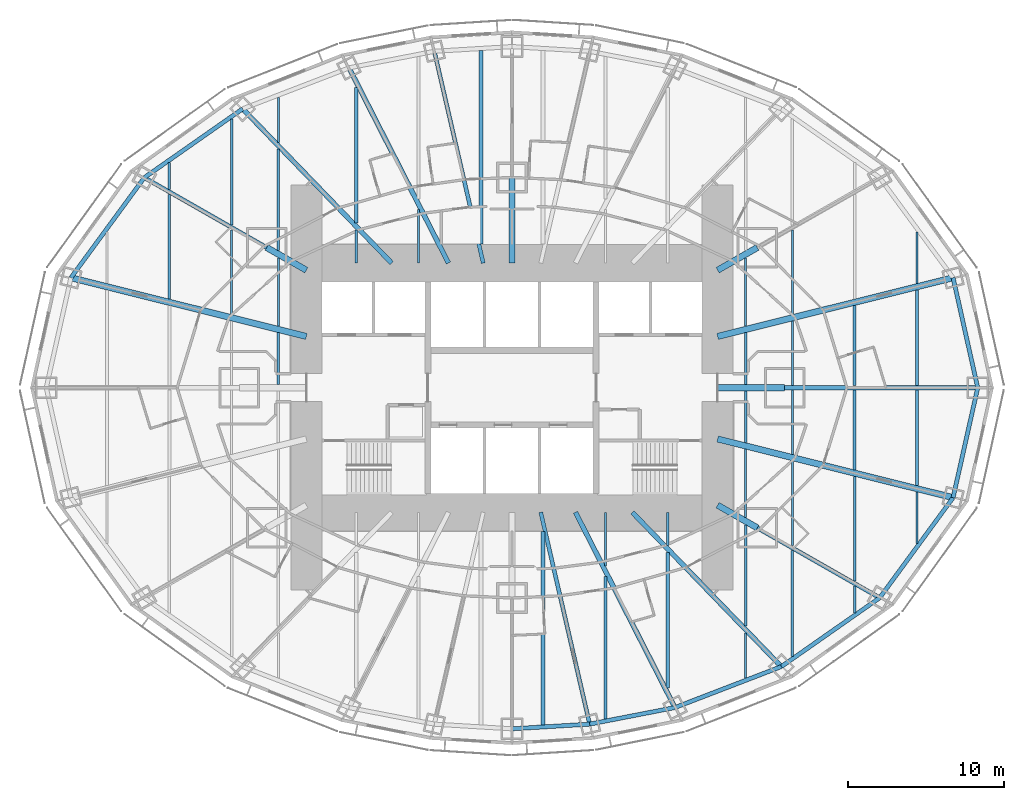
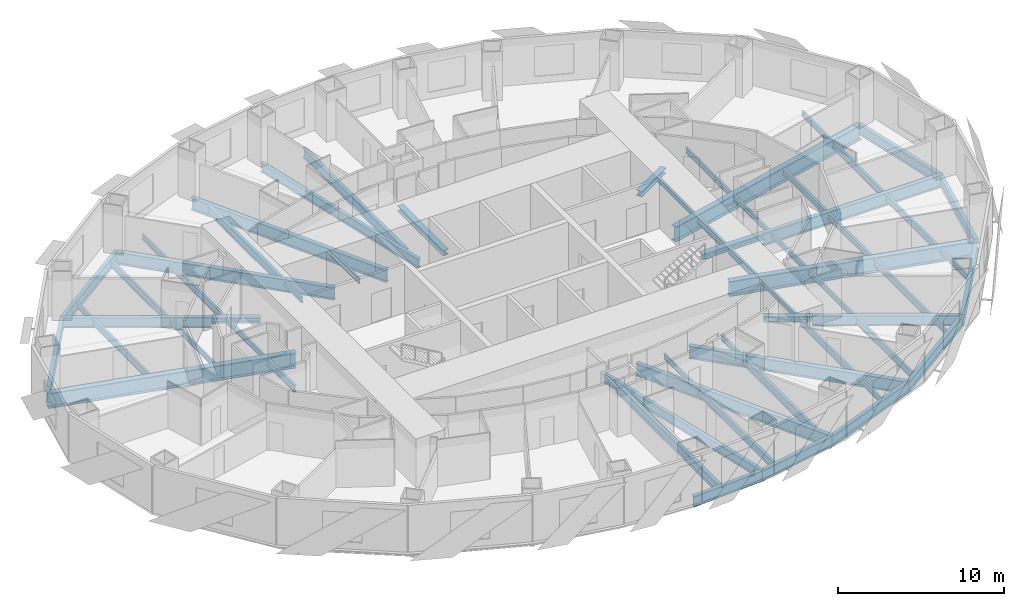
# One storey, part 2 of 15: 62 beams.
"""IFC4 building model written with IfcOpenShell, lengths in metres."""

from ifc_helpers import new_model, si_unit, direction, frame, origin, origin_2d, place, context, subcontext, project, spatial, i_section, extrude, material, material_profile, profile_set, type_object, element, save


model = new_model("IFC4")

# Units and contexts
model_context = context("Model", 3, precision=1e-05, world=origin(), true_north=direction((0.0, 1.0)))
body_context = subcontext(model_context, "Body", "Model", "MODEL_VIEW")
ifc_project = project(units=[si_unit("LENGTHUNIT", "METRE"), si_unit("AREAUNIT", "SQUARE_METRE"), si_unit("VOLUMEUNIT", "CUBIC_METRE"), si_unit("PLANEANGLEUNIT", "RADIAN"), si_unit("MASSUNIT", "GRAM", prefix="KILO")], contexts=[model_context])

# Site, building, storey
site_placement = place(None, origin())
site = spatial("IfcSite", under=ifc_project, at=site_placement, CompositionType="ELEMENT")
building_placement = place(site_placement, origin())
building = spatial("IfcBuilding", under=site, at=building_placement, Name="Lantaw Convention Tower", CompositionType="ELEMENT")
storey_placement = place(building_placement, frame((0.0, 0.0, 51.39990234375)))
storey = spatial("IfcBuildingStorey", under=building, at=storey_placement, Name="L10", CompositionType="ELEMENT", Elevation=51.39990234375)

# Beams
ifc_material = material(Name="Steel ASTM A992", Category="steel")
ifc_material_profile_1 = material_profile(ifc_material, i_section(OverallWidth=0.2666015625, OverallDepth=0.76953125, WebThickness=0.015625, FlangeThickness=0.025390625, FilletRadius=0.0126953125, at=origin_2d()), Name="W30X132")
ifc_profile_set_1 = profile_set([ifc_material_profile_1], Name="Steel ASTM A992")
beam_type_1 = type_object("IfcBeamType", Name="Beam E W30X132", PredefinedType="SPANDREL", material=ifc_profile_set_1)
beam_1_placement = place(storey_placement, frame((29.89990234375, 0.0, -0.53466796875), z_axis=(-0.218652184873, 0.975802860239, 0.0), x_axis=(-0.975802860239, -0.218652184873, 0.0)))
element("IfcBeam", 1, at=beam_1_placement, inside=storey, type_object=beam_type_1, Name="Edge beam 1", PredefinedType="SPANDREL", context=body_context, shape_type="SweptSolid", body=[
    extrude(i_section(OverallWidth=0.2666015625, OverallDepth=0.76953125, WebThickness=0.015625, FlangeThickness=0.025390625, FilletRadius=0.0126953125, at=origin_2d()), origin(), (0.0, 0.0, 1.0), 7.2353515625),
])
beam_2_placement = place(storey_placement, frame((-17.290771484375, 17.9052734375, -0.53466796875), z_axis=(-0.81942686407, -0.57318375277, 0.0), x_axis=(0.57318375277, -0.81942686407, 0.0)))
element("IfcBeam", 2, at=beam_2_placement, inside=storey, type_object=beam_type_1, Name="Edge beam 10", PredefinedType="SPANDREL", context=body_context, shape_type="SweptSolid", body=[
    extrude(i_section(OverallWidth=0.2666015625, OverallDepth=0.76953125, WebThickness=0.015625, FlangeThickness=0.025390625, FilletRadius=0.0126953125, at=origin_2d()), origin(), (0.0, 0.0, 1.0), 7.70556640625),
])
beam_3_placement = place(storey_placement, frame((-23.60498046875, 13.488525390625, -0.53466796875), z_axis=(-0.591270709086, -0.806473154281, 0.0), x_axis=(0.806473154281, -0.591270709086, 0.0)))
element("IfcBeam", 3, at=beam_3_placement, inside=storey, type_object=beam_type_1, Name="Edge beam 11", PredefinedType="SPANDREL", context=body_context, shape_type="SweptSolid", body=[
    extrude(i_section(OverallWidth=0.2666015625, OverallDepth=0.76953125, WebThickness=0.015625, FlangeThickness=0.025390625, FilletRadius=0.0126953125, at=origin_2d()), origin(), (0.0, 0.0, 1.0), 7.970703125),
])
beam_4_placement = place(storey_placement, frame((0.0, -21.89990234375, -0.53466796875), z_axis=(0.998173858406, 0.060406526096, 0.0), x_axis=(-0.060406526096, 0.998173858406, 0.0)))
element("IfcBeam", 4, at=beam_4_placement, inside=storey, type_object=beam_type_1, Name="Edge beam 19", PredefinedType="SPANDREL", context=body_context, shape_type="SweptSolid", body=[
    extrude(i_section(OverallWidth=0.2666015625, OverallDepth=0.76953125, WebThickness=0.015625, FlangeThickness=0.025390625, FilletRadius=0.0126953125, at=origin_2d()), origin(), (0.0, 0.0, 1.0), 4.995361328125),
])
beam_5_placement = place(storey_placement, frame((4.986328125, -21.59814453125, -0.53466796875), z_axis=(0.981636565323, 0.190760723474, 0.0), x_axis=(-0.190760723474, 0.981636565323, 0.0)))
element("IfcBeam", 5, at=beam_5_placement, inside=storey, type_object=beam_type_1, Name="Edge beam 20", PredefinedType="SPANDREL", context=body_context, shape_type="SweptSolid", body=[
    extrude(i_section(OverallWidth=0.2666015625, OverallDepth=0.76953125, WebThickness=0.015625, FlangeThickness=0.025390625, FilletRadius=0.0126953125, at=origin_2d()), origin(), (0.0, 0.0, 1.0), 5.578857421875),
])
beam_6_placement = place(storey_placement, frame((10.462646484375, -20.533935546875, -0.53466796875), z_axis=(0.933232900641, 0.359271976588, 0.0), x_axis=(-0.359271976588, 0.933232900641, 0.0)))
element("IfcBeam", 6, at=beam_6_placement, inside=storey, type_object=beam_type_1, Name="Edge beam 21", PredefinedType="SPANDREL", context=body_context, shape_type="SweptSolid", body=[
    extrude(i_section(OverallWidth=0.2666015625, OverallDepth=0.76953125, WebThickness=0.015625, FlangeThickness=0.025390625, FilletRadius=0.0126953125, at=origin_2d()), origin(), (0.0, 0.0, 1.0), 7.316650390625),
])
beam_7_placement = place(storey_placement, frame((17.290771484375, -17.9052734375, -0.53466796875), z_axis=(0.81942686407, 0.57318375277, 0.0), x_axis=(-0.57318375277, 0.81942686407, 0.0)))
element("IfcBeam", 7, at=beam_7_placement, inside=storey, type_object=beam_type_1, Name="Edge beam 22", PredefinedType="SPANDREL", context=body_context, shape_type="SweptSolid", body=[
    extrude(i_section(OverallWidth=0.2666015625, OverallDepth=0.76953125, WebThickness=0.015625, FlangeThickness=0.025390625, FilletRadius=0.0126953125, at=origin_2d()), origin(), (0.0, 0.0, 1.0), 7.70556640625),
])
beam_8_placement = place(storey_placement, frame((23.60498046875, -13.488525390625, -0.53466796875), z_axis=(0.591270709086, 0.806473154281, 0.0), x_axis=(-0.806473154281, 0.591270709086, 0.0)))
element("IfcBeam", 8, at=beam_8_placement, inside=storey, type_object=beam_type_1, Name="Edge beam 23", PredefinedType="SPANDREL", context=body_context, shape_type="SweptSolid", body=[
    extrude(i_section(OverallWidth=0.2666015625, OverallDepth=0.76953125, WebThickness=0.015625, FlangeThickness=0.025390625, FilletRadius=0.0126953125, at=origin_2d()), origin(), (0.0, 0.0, 1.0), 7.970703125),
])
beam_9_placement = place(storey_placement, frame((28.31787109375, -7.060302734375, -0.53466796875), z_axis=(0.218652184873, 0.975802860239, 0.0), x_axis=(-0.975802860239, 0.218652184873, 0.0)))
element("IfcBeam", 9, at=beam_9_placement, inside=storey, type_object=beam_type_1, Name="Edge beam 24", PredefinedType="SPANDREL", context=body_context, shape_type="SweptSolid", body=[
    extrude(i_section(OverallWidth=0.2666015625, OverallDepth=0.76953125, WebThickness=0.015625, FlangeThickness=0.025390625, FilletRadius=0.0126953125, at=origin_2d()), origin(), (0.0, 0.0, 1.0), 7.2353515625),
])
ifc_material_profile_2 = material_profile(ifc_material, i_section(OverallWidth=0.25390625, OverallDepth=0.683349609375, WebThickness=0.012451171875, FlangeThickness=0.01904296875, FilletRadius=0.01513671875, at=origin_2d()), Name="W27X94")
ifc_profile_set_2 = profile_set([ifc_material_profile_2], Name="Steel ASTM A992")
beam_type_2 = type_object("IfcBeamType", Name="Beam G W27X94", PredefinedType="BEAM", material=ifc_profile_set_2)
for number, where, z_axis, x_axis, name in (
    (10, (-1.846923828125, 8.0, -0.491455078125), (-0.224952773175, 0.97436966796, 0.0), (-0.97436966796, -0.224952773175, 0.0), "Floor girder on ray 8"),
    (11, (1.846923828125, -8.0, -0.491455078125), (0.224952773175, -0.97436966796, 0.0), (0.97436966796, 0.224952773175, 0.0), "Floor girder on ray 20"),
):
    element("IfcBeam", number, at=place(storey_placement, frame(where, z_axis=z_axis, x_axis=x_axis)), inside=storey, type_object=beam_type_2, Name=name, PredefinedType="BEAM", context=body_context, shape_type="SweptSolid", body=[
        extrude(i_section(OverallWidth=0.25390625, OverallDepth=0.683349609375, WebThickness=0.012451171875, FlangeThickness=0.01904296875, FilletRadius=0.01513671875, at=origin_2d()), origin(), (0.0, 0.0, 1.0), 13.955810546875),
    ])
ifc_material_profile_3 = material_profile(ifc_material, i_section(OverallWidth=0.2666015625, OverallDepth=0.7568359375, WebThickness=0.013916015625, FlangeThickness=0.019287109375, FilletRadius=0.0126953125, at=origin_2d()), Name="W30X108")
ifc_profile_set_3 = profile_set([ifc_material_profile_3], Name="Steel ASTM A992")
beam_type_3 = type_object("IfcBeamType", Name="Beam G W30X108", PredefinedType="BEAM", material=ifc_profile_set_3)
for number, where, z_axis, x_axis, name in (
    (12, (-15.75, 9.0, -0.5283203125), (-0.868244802791, 0.496136032179, 0.0), (-0.496136032179, -0.868244802791, 0.0), "Floor girder on ray 11"),
    (13, (15.75, -9.0, -0.5283203125), (0.868244802791, -0.496136032179, 0.0), (0.496136032179, 0.868244802791, 0.0), "Floor girder on ray 23"),
):
    element("IfcBeam", number, at=place(storey_placement, frame(where, z_axis=z_axis, x_axis=x_axis)), inside=storey, type_object=beam_type_3, Name=name, PredefinedType="BEAM", context=body_context, shape_type="SweptSolid", body=[
        extrude(i_section(OverallWidth=0.2666015625, OverallDepth=0.7568359375, WebThickness=0.013916015625, FlangeThickness=0.019287109375, FilletRadius=0.0126953125, at=origin_2d()), origin(), (0.0, 0.0, 1.0), 9.046875),
    ])
ifc_material_profile_4 = material_profile(ifc_material, i_section(OverallWidth=0.307373046875, OverallDepth=0.922119140625, WebThickness=0.018310546875, FlangeThickness=0.030029296875, FilletRadius=0.0126953125, at=origin_2d()), Name="W36X182")
ifc_profile_set_4 = profile_set([ifc_material_profile_4], Name="Steel ASTM A992")
beam_type_4 = type_object("IfcBeamType", Name="Beam G W36X182", PredefinedType="BEAM", material=ifc_profile_set_4)
beam_10_placement = place(storey_placement, frame((17.5, 0.0, -0.61083984375), z_axis=(1.0, 0.0, 0.0), x_axis=(0.0, 1.0, 0.0)))
element("IfcBeam", 14, at=beam_10_placement, inside=storey, type_object=beam_type_4, Name="Floor girder on ray 1", PredefinedType="BEAM", context=body_context, shape_type="SweptSolid", body=[
    extrude(i_section(OverallWidth=0.307373046875, OverallDepth=0.922119140625, WebThickness=0.018310546875, FlangeThickness=0.030029296875, FilletRadius=0.0126953125, at=origin_2d()), origin(), (0.0, 0.0, 1.0), 12.39990234375),
])
beam_11_placement = place(storey_placement, frame((-4.076171875, 8.0, -0.61083984375), z_axis=(-0.453997016122, 0.891003203896, 0.0), x_axis=(-0.891003203896, -0.453997016122, 0.0)))
element("IfcBeam", 15, at=beam_11_placement, inside=storey, type_object=beam_type_4, Name="Floor girder on ray 9", PredefinedType="BEAM", context=body_context, shape_type="SweptSolid", body=[
    extrude(i_section(OverallWidth=0.307373046875, OverallDepth=0.922119140625, WebThickness=0.018310546875, FlangeThickness=0.030029296875, FilletRadius=0.0126953125, at=origin_2d()), origin(), (0.0, 0.0, 1.0), 14.067138671875),
])
beam_12_placement = place(storey_placement, frame((-7.7255859375, 8.0, -0.61083984375), z_axis=(-0.694649884291, 0.719347995239, 0.0), x_axis=(-0.719347995239, -0.694649884291, 0.0)))
element("IfcBeam", 16, at=beam_12_placement, inside=storey, type_object=beam_type_4, Name="Floor girder on ray 10", PredefinedType="BEAM", context=body_context, shape_type="SweptSolid", body=[
    extrude(i_section(OverallWidth=0.307373046875, OverallDepth=0.922119140625, WebThickness=0.018310546875, FlangeThickness=0.030029296875, FilletRadius=0.0126953125, at=origin_2d()), origin(), (0.0, 0.0, 1.0), 13.769775390625),
])
beam_13_placement = place(storey_placement, frame((4.076171875, -8.0, -0.61083984375), z_axis=(0.453997016122, -0.891003203896, 0.0), x_axis=(0.891003203896, 0.453997016122, 0.0)))
element("IfcBeam", 17, at=beam_13_placement, inside=storey, type_object=beam_type_4, Name="Floor girder on ray 21", PredefinedType="BEAM", context=body_context, shape_type="SweptSolid", body=[
    extrude(i_section(OverallWidth=0.307373046875, OverallDepth=0.922119140625, WebThickness=0.018310546875, FlangeThickness=0.030029296875, FilletRadius=0.0126953125, at=origin_2d()), origin(), (0.0, 0.0, 1.0), 14.067138671875),
])
beam_14_placement = place(storey_placement, frame((7.7255859375, -8.0, -0.61083984375), z_axis=(0.694649884291, -0.719347995239, 0.0), x_axis=(0.719347995239, 0.694649884291, 0.0)))
element("IfcBeam", 18, at=beam_14_placement, inside=storey, type_object=beam_type_4, Name="Floor girder on ray 22", PredefinedType="BEAM", context=body_context, shape_type="SweptSolid", body=[
    extrude(i_section(OverallWidth=0.307373046875, OverallDepth=0.922119140625, WebThickness=0.018310546875, FlangeThickness=0.030029296875, FilletRadius=0.0126953125, at=origin_2d()), origin(), (0.0, 0.0, 1.0), 13.769775390625),
])
ifc_material_profile_5 = material_profile(ifc_material, i_section(OverallWidth=0.40380859375, OverallDepth=1.11767578125, WebThickness=0.026123046875, FlangeThickness=0.044921875, FilletRadius=0.02001953125, at=origin_2d()), Name="W44X335")
ifc_profile_set_5 = profile_set([ifc_material_profile_5], Name="Steel ASTM A992")
beam_type_5 = type_object("IfcBeamType", Name="Beam G W44X335", PredefinedType="BEAM", material=ifc_profile_set_5)
for number, where, z_axis, x_axis, name in (
    (19, (13.199951171875, 3.291015625, -0.708740234375), (0.970296233567, 0.241919860957, 0.0), (-0.241919860957, 0.970296233567, 0.0), "Floor girder on ray 2"),
    (20, (-13.199951171875, 3.291015625, -0.708740234375), (-0.970296233567, 0.241919860957, 0.0), (-0.241919860957, -0.970296233567, 0.0), "Floor girder on ray 12"),
    (21, (13.199951171875, -3.291015625, -0.708740234375), (0.970296233567, -0.241919860957, 0.0), (0.241919860957, 0.970296233567, 0.0), "Floor girder on ray 24"),
):
    element("IfcBeam", number, at=place(storey_placement, frame(where, z_axis=z_axis, x_axis=x_axis)), inside=storey, type_object=beam_type_5, Name=name, PredefinedType="BEAM", context=body_context, shape_type="SweptSolid", body=[
        extrude(i_section(OverallWidth=0.40380859375, OverallDepth=1.11767578125, WebThickness=0.026123046875, FlangeThickness=0.044921875, FilletRadius=0.02001953125, at=origin_2d()), origin(), (0.0, 0.0, 1.0), 15.580810546875),
    ])
ifc_material_profile_6 = material_profile(ifc_material, i_section(OverallWidth=0.40380859375, OverallDepth=0.406494140625, WebThickness=0.027099609375, FlangeThickness=0.043701171875, FilletRadius=0.01513671875, at=origin_2d()), Name="W14X233")
ifc_profile_set_6 = profile_set([ifc_material_profile_6], Name="Steel ASTM A992")
beam_type_6 = type_object("IfcBeamType", Name="Beam GM W14X233", PredefinedType="BEAM", material=ifc_profile_set_6)
beam_15_placement = place(storey_placement, frame((13.199951171875, 0.0, -0.35302734375), z_axis=(1.0, 0.0, 0.0), x_axis=(0.0, 1.0, 0.0)))
element("IfcBeam", 22, at=beam_15_placement, inside=storey, type_object=beam_type_6, Name="Core link beam on ray 1", PredefinedType="BEAM", context=body_context, shape_type="SweptSolid", body=[
    extrude(i_section(OverallWidth=0.40380859375, OverallDepth=0.406494140625, WebThickness=0.027099609375, FlangeThickness=0.043701171875, FilletRadius=0.01513671875, at=origin_2d()), origin(), (0.0, 0.0, 1.0), 4.300048828125),
])
beam_16_placement = place(storey_placement, frame((13.199951171875, 7.54296875, -0.35302734375), z_axis=(0.868263603466, 0.496103129295, 0.0), x_axis=(-0.496103129295, 0.868263603466, 0.0)))
element("IfcBeam", 23, at=beam_16_placement, inside=storey, type_object=beam_type_6, Name="Core link beam on ray 3", PredefinedType="BEAM", context=body_context, shape_type="SweptSolid", body=[
    extrude(i_section(OverallWidth=0.40380859375, OverallDepth=0.406494140625, WebThickness=0.027099609375, FlangeThickness=0.043701171875, FilletRadius=0.01513671875, at=origin_2d()), origin(), (0.0, 0.0, 1.0), 2.93701171875),
])
beam_17_placement = place(storey_placement, frame((0.0, 8.0, -0.35302734375), z_axis=(0.0, 1.0, 0.0), x_axis=(-1.0, 0.0, 0.0)))
element("IfcBeam", 24, at=beam_17_placement, inside=storey, type_object=beam_type_6, Name="Core link beam on ray 7", PredefinedType="BEAM", context=body_context, shape_type="SweptSolid", body=[
    extrude(i_section(OverallWidth=0.40380859375, OverallDepth=0.406494140625, WebThickness=0.027099609375, FlangeThickness=0.043701171875, FilletRadius=0.01513671875, at=origin_2d()), origin(), (0.0, 0.0, 1.0), 5.5),
])
for number, where, z_axis, x_axis, name in (
    (25, (-13.199951171875, 7.54296875, -0.35302734375), (-0.868263603466, 0.496103129295, 0.0), (-0.496103129295, -0.868263603466, 0.0), "Core link beam on ray 11"),
    (26, (13.199951171875, -7.54296875, -0.35302734375), (0.868263603466, -0.496103129295, 0.0), (0.496103129295, 0.868263603466, 0.0), "Core link beam on ray 23"),
):
    element("IfcBeam", number, at=place(storey_placement, frame(where, z_axis=z_axis, x_axis=x_axis)), inside=storey, type_object=beam_type_6, Name=name, PredefinedType="BEAM", context=body_context, shape_type="SweptSolid", body=[
        extrude(i_section(OverallWidth=0.40380859375, OverallDepth=0.406494140625, WebThickness=0.027099609375, FlangeThickness=0.043701171875, FilletRadius=0.01513671875, at=origin_2d()), origin(), (0.0, 0.0, 1.0), 2.93701171875),
    ])
ifc_material_profile_7 = material_profile(ifc_material, i_section(OverallWidth=0.140380859375, OverallDepth=0.40380859375, WebThickness=0.007080078125, FlangeThickness=0.01123046875, FilletRadius=0.01025390625, at=origin_2d()), Name="W16X31")
ifc_profile_set_7 = profile_set([ifc_material_profile_7], Name="Steel ASTM A992")
beam_type_7 = type_object("IfcBeamType", Name="Beam J W16X31", PredefinedType="JOIST", material=ifc_profile_set_7)
beam_18_placement = place(storey_placement, frame((-22.0, 12.72509765625, -0.351806640625), z_axis=(0.0, 1.0, 0.0), x_axis=(-1.0, 0.0, 0.0)))
element("IfcBeam", 27, at=beam_18_placement, inside=storey, type_object=beam_type_7, Name="Floor joist", PredefinedType="JOIST", context=body_context, shape_type="SweptSolid", body=[
    extrude(i_section(OverallWidth=0.140380859375, OverallDepth=0.40380859375, WebThickness=0.007080078125, FlangeThickness=0.01123046875, FilletRadius=0.01025390625, at=origin_2d()), origin(), (0.0, 0.0, 1.0), 1.723388671875),
])
beam_19_placement = place(storey_placement, frame((-18.0, 4.696044921875, -0.351806640625), z_axis=(0.0, 1.0, 0.0), x_axis=(-1.0, 0.0, 0.0)))
element("IfcBeam", 28, at=beam_19_placement, inside=storey, type_object=beam_type_7, Name="Floor joist", PredefinedType="JOIST", context=body_context, shape_type="SweptSolid", body=[
    extrude(i_section(OverallWidth=0.140380859375, OverallDepth=0.40380859375, WebThickness=0.007080078125, FlangeThickness=0.01123046875, FilletRadius=0.01025390625, at=origin_2d()), origin(), (0.0, 0.0, 1.0), 5.43603515625),
])
beam_20_placement = place(storey_placement, frame((-15.0, 3.947998046875, -0.351806640625), z_axis=(0.0, 1.0, 0.0), x_axis=(-1.0, 0.0, 0.0)))
element("IfcBeam", 29, at=beam_20_placement, inside=storey, type_object=beam_type_7, Name="Floor joist", PredefinedType="JOIST", context=body_context, shape_type="SweptSolid", body=[
    extrude(i_section(OverallWidth=0.140380859375, OverallDepth=0.40380859375, WebThickness=0.007080078125, FlangeThickness=0.01123046875, FilletRadius=0.01025390625, at=origin_2d()), origin(), (0.0, 0.0, 1.0), 4.390869140625),
])
beam_21_placement = place(storey_placement, frame((-15.0, 15.754150390625, -0.351806640625), z_axis=(0.0, 1.0, 0.0), x_axis=(-1.0, 0.0, 0.0)))
element("IfcBeam", 30, at=beam_21_placement, inside=storey, type_object=beam_type_7, Name="Floor joist", PredefinedType="JOIST", context=body_context, shape_type="SweptSolid", body=[
    extrude(i_section(OverallWidth=0.140380859375, OverallDepth=0.40380859375, WebThickness=0.007080078125, FlangeThickness=0.01123046875, FilletRadius=0.01025390625, at=origin_2d()), origin(), (0.0, 0.0, 1.0), 2.89013671875),
])
beam_22_placement = place(storey_placement, frame((-10.0, 8.0, -0.351806640625), z_axis=(0.0, 1.0, 0.0), x_axis=(-1.0, 0.0, 0.0)))
element("IfcBeam", 31, at=beam_22_placement, inside=storey, type_object=beam_type_7, Name="Floor joist", PredefinedType="JOIST", context=body_context, shape_type="SweptSolid", body=[
    extrude(i_section(OverallWidth=0.140380859375, OverallDepth=0.40380859375, WebThickness=0.007080078125, FlangeThickness=0.01123046875, FilletRadius=0.01025390625, at=origin_2d()), origin(), (0.0, 0.0, 1.0), 2.134033203125),
])
for number, where, z_axis, x_axis, name in (
    (32, (-6.0, 8.0, -0.351806640625), (0.0, 1.0, 0.0), (-1.0, 0.0, 0.0), "Floor joist"),
    (33, (6.0, -11.437255859375, -0.351806640625), (0.0, 1.0, 0.0), (-1.0, 0.0, 0.0), "Floor joist"),
):
    element("IfcBeam", number, at=place(storey_placement, frame(where, z_axis=z_axis, x_axis=x_axis)), inside=storey, type_object=beam_type_7, Name=name, PredefinedType="JOIST", context=body_context, shape_type="SweptSolid", body=[
        extrude(i_section(OverallWidth=0.140380859375, OverallDepth=0.40380859375, WebThickness=0.007080078125, FlangeThickness=0.01123046875, FilletRadius=0.01025390625, at=origin_2d()), origin(), (0.0, 0.0, 1.0), 3.437255859375),
    ])
beam_23_placement = place(storey_placement, frame((10.0, -10.134033203125, -0.351806640625), z_axis=(0.0, 1.0, 0.0), x_axis=(-1.0, 0.0, 0.0)))
element("IfcBeam", 34, at=beam_23_placement, inside=storey, type_object=beam_type_7, Name="Floor joist", PredefinedType="JOIST", context=body_context, shape_type="SweptSolid", body=[
    extrude(i_section(OverallWidth=0.140380859375, OverallDepth=0.40380859375, WebThickness=0.007080078125, FlangeThickness=0.01123046875, FilletRadius=0.01025390625, at=origin_2d()), origin(), (0.0, 0.0, 1.0), 2.134033203125),
])
beam_24_placement = place(storey_placement, frame((15.0, -18.644287109375, -0.351806640625), z_axis=(0.0, 1.0, 0.0), x_axis=(-1.0, 0.0, 0.0)))
element("IfcBeam", 35, at=beam_24_placement, inside=storey, type_object=beam_type_7, Name="Floor joist", PredefinedType="JOIST", context=body_context, shape_type="SweptSolid", body=[
    extrude(i_section(OverallWidth=0.140380859375, OverallDepth=0.40380859375, WebThickness=0.007080078125, FlangeThickness=0.01123046875, FilletRadius=0.01025390625, at=origin_2d()), origin(), (0.0, 0.0, 1.0), 2.89013671875),
])
for number, where, z_axis, x_axis, name in (
    (36, (15.0, -8.3388671875, -0.351806640625), (0.0, 1.0, 0.0), (-1.0, 0.0, 0.0), "Floor joist"),
    (37, (15.0, 3.947998046875, -0.351806640625), (0.0, 1.0, 0.0), (-1.0, 0.0, 0.0), "Floor joist"),
):
    element("IfcBeam", number, at=place(storey_placement, frame(where, z_axis=z_axis, x_axis=x_axis)), inside=storey, type_object=beam_type_7, Name=name, PredefinedType="JOIST", context=body_context, shape_type="SweptSolid", body=[
        extrude(i_section(OverallWidth=0.140380859375, OverallDepth=0.40380859375, WebThickness=0.007080078125, FlangeThickness=0.01123046875, FilletRadius=0.01025390625, at=origin_2d()), origin(), (0.0, 0.0, 1.0), 4.390869140625),
    ])
beam_25_placement = place(storey_placement, frame((18.0, -10.132080078125, -0.351806640625), z_axis=(0.0, 1.0, 0.0), x_axis=(-1.0, 0.0, 0.0)))
element("IfcBeam", 38, at=beam_25_placement, inside=storey, type_object=beam_type_7, Name="Floor joist", PredefinedType="JOIST", context=body_context, shape_type="SweptSolid", body=[
    extrude(i_section(OverallWidth=0.140380859375, OverallDepth=0.40380859375, WebThickness=0.007080078125, FlangeThickness=0.01123046875, FilletRadius=0.01025390625, at=origin_2d()), origin(), (0.0, 0.0, 1.0), 5.43603515625),
])
for number, where, z_axis, x_axis, name in (
    (39, (18.0, -4.27978515625, -0.351806640625), (0.0, 1.0, 0.0), (-1.0, 0.0, 0.0), "Floor joist"),
    (40, (18.0, 0.153564453125, -0.351806640625), (0.0, 1.0, 0.0), (-1.0, 0.0, 0.0), "Floor joist"),
):
    element("IfcBeam", number, at=place(storey_placement, frame(where, z_axis=z_axis, x_axis=x_axis)), inside=storey, type_object=beam_type_7, Name=name, PredefinedType="JOIST", context=body_context, shape_type="SweptSolid", body=[
        extrude(i_section(OverallWidth=0.140380859375, OverallDepth=0.40380859375, WebThickness=0.007080078125, FlangeThickness=0.01123046875, FilletRadius=0.01025390625, at=origin_2d()), origin(), (0.0, 0.0, 1.0), 4.126220703125),
    ])
beam_26_placement = place(storey_placement, frame((18.0, 4.696044921875, -0.351806640625), z_axis=(0.0, 1.0, 0.0), x_axis=(-1.0, 0.0, 0.0)))
element("IfcBeam", 41, at=beam_26_placement, inside=storey, type_object=beam_type_7, Name="Floor joist", PredefinedType="JOIST", context=body_context, shape_type="SweptSolid", body=[
    extrude(i_section(OverallWidth=0.140380859375, OverallDepth=0.40380859375, WebThickness=0.007080078125, FlangeThickness=0.01123046875, FilletRadius=0.01025390625, at=origin_2d()), origin(), (0.0, 0.0, 1.0), 5.43603515625),
])
beam_27_placement = place(storey_placement, frame((22.0, -14.448486328125, -0.351806640625), z_axis=(0.0, 1.0, 0.0), x_axis=(-1.0, 0.0, 0.0)))
element("IfcBeam", 42, at=beam_27_placement, inside=storey, type_object=beam_type_7, Name="Floor joist", PredefinedType="JOIST", context=body_context, shape_type="SweptSolid", body=[
    extrude(i_section(OverallWidth=0.140380859375, OverallDepth=0.40380859375, WebThickness=0.007080078125, FlangeThickness=0.01123046875, FilletRadius=0.01025390625, at=origin_2d()), origin(), (0.0, 0.0, 1.0), 1.723388671875),
])
for number, where, z_axis, x_axis, name in (
    (43, (26.0, -9.996337890625, -0.351806640625), (0.0, 1.0, 0.0), (-1.0, 0.0, 0.0), "Floor joist"),
    (44, (26.0, 6.690673828125, -0.351806640625), (0.0, 1.0, 0.0), (-1.0, 0.0, 0.0), "Floor joist"),
):
    element("IfcBeam", number, at=place(storey_placement, frame(where, z_axis=z_axis, x_axis=x_axis)), inside=storey, type_object=beam_type_7, Name=name, PredefinedType="JOIST", context=body_context, shape_type="SweptSolid", body=[
        extrude(i_section(OverallWidth=0.140380859375, OverallDepth=0.40380859375, WebThickness=0.007080078125, FlangeThickness=0.01123046875, FilletRadius=0.01025390625, at=origin_2d()), origin(), (0.0, 0.0, 1.0), 3.3056640625),
    ])
ifc_material_profile_8 = material_profile(ifc_material, i_section(OverallWidth=0.1904296875, OverallDepth=0.457275390625, WebThickness=0.009033203125, FlangeThickness=0.014404296875, FilletRadius=0.01025390625, at=origin_2d()), Name="W18X50")
ifc_profile_set_8 = profile_set([ifc_material_profile_8], Name="Steel ASTM A992")
beam_type_8 = type_object("IfcBeamType", Name="Beam J W18X50", PredefinedType="JOIST", material=ifc_profile_set_8)
for number, where, z_axis, x_axis, name in (
    (45, (22.0, -5.277099609375, -0.37841796875), (0.0, 1.0, 0.0), (-1.0, 0.0, 0.0), "Floor joist"),
    (46, (22.0, 0.153564453125, -0.37841796875), (0.0, 1.0, 0.0), (-1.0, 0.0, 0.0), "Floor joist"),
):
    element("IfcBeam", number, at=place(storey_placement, frame(where, z_axis=z_axis, x_axis=x_axis)), inside=storey, type_object=beam_type_8, Name=name, PredefinedType="JOIST", context=body_context, shape_type="SweptSolid", body=[
        extrude(i_section(OverallWidth=0.1904296875, OverallDepth=0.457275390625, WebThickness=0.009033203125, FlangeThickness=0.014404296875, FilletRadius=0.01025390625, at=origin_2d()), origin(), (0.0, 0.0, 1.0), 5.12353515625),
    ])
ifc_material_profile_9 = material_profile(ifc_material, i_section(OverallWidth=0.1650390625, OverallDepth=0.52587890625, WebThickness=0.0087890625, FlangeThickness=0.011474609375, FilletRadius=0.0126953125, at=origin_2d()), Name="W21X44")
ifc_profile_set_9 = profile_set([ifc_material_profile_9], Name="Steel ASTM A992")
beam_type_9 = type_object("IfcBeamType", Name="Beam J W21X44", PredefinedType="JOIST", material=ifc_profile_set_9)
beam_28_placement = place(storey_placement, frame((-22.0, 5.693359375, -0.412841796875), z_axis=(0.0, 1.0, 0.0), x_axis=(-1.0, 0.0, 0.0)))
element("IfcBeam", 47, at=beam_28_placement, inside=storey, type_object=beam_type_9, Name="Floor joist", PredefinedType="JOIST", context=body_context, shape_type="SweptSolid", body=[
    extrude(i_section(OverallWidth=0.1650390625, OverallDepth=0.52587890625, WebThickness=0.0087890625, FlangeThickness=0.011474609375, FilletRadius=0.0126953125, at=origin_2d()), origin(), (0.0, 0.0, 1.0), 6.724609375),
])
beam_29_placement = place(storey_placement, frame((-18.0, 10.439208984375, -0.412841796875), z_axis=(0.0, 1.0, 0.0), x_axis=(-1.0, 0.0, 0.0)))
element("IfcBeam", 48, at=beam_29_placement, inside=storey, type_object=beam_type_9, Name="Floor joist", PredefinedType="JOIST", context=body_context, shape_type="SweptSolid", body=[
    extrude(i_section(OverallWidth=0.1650390625, OverallDepth=0.52587890625, WebThickness=0.0087890625, FlangeThickness=0.011474609375, FilletRadius=0.0126953125, at=origin_2d()), origin(), (0.0, 0.0, 1.0), 6.80712890625),
])
for number, where, z_axis, x_axis, name in (
    (49, (-15.0, 8.803955078125, -0.412841796875), (0.0, 1.0, 0.0), (-1.0, 0.0, 0.0), "Floor joist"),
    (50, (15.0, -15.311767578125, -0.412841796875), (0.0, 1.0, 0.0), (-1.0, 0.0, 0.0), "Floor joist"),
):
    element("IfcBeam", number, at=place(storey_placement, frame(where, z_axis=z_axis, x_axis=x_axis)), inside=storey, type_object=beam_type_9, Name=name, PredefinedType="JOIST", context=body_context, shape_type="SweptSolid", body=[
        extrude(i_section(OverallWidth=0.1650390625, OverallDepth=0.52587890625, WebThickness=0.0087890625, FlangeThickness=0.011474609375, FilletRadius=0.0126953125, at=origin_2d()), origin(), (0.0, 0.0, 1.0), 6.5078125),
    ])
beam_30_placement = place(storey_placement, frame((18.0, -17.246337890625, -0.412841796875), z_axis=(0.0, 1.0, 0.0), x_axis=(-1.0, 0.0, 0.0)))
element("IfcBeam", 51, at=beam_30_placement, inside=storey, type_object=beam_type_9, Name="Floor joist", PredefinedType="JOIST", context=body_context, shape_type="SweptSolid", body=[
    extrude(i_section(OverallWidth=0.1650390625, OverallDepth=0.52587890625, WebThickness=0.0087890625, FlangeThickness=0.011474609375, FilletRadius=0.0126953125, at=origin_2d()), origin(), (0.0, 0.0, 1.0), 6.80712890625),
])
beam_31_placement = place(storey_placement, frame((22.0, -12.41796875, -0.412841796875), z_axis=(0.0, 1.0, 0.0), x_axis=(-1.0, 0.0, 0.0)))
element("IfcBeam", 52, at=beam_31_placement, inside=storey, type_object=beam_type_9, Name="Floor joist", PredefinedType="JOIST", context=body_context, shape_type="SweptSolid", body=[
    extrude(i_section(OverallWidth=0.1650390625, OverallDepth=0.52587890625, WebThickness=0.0087890625, FlangeThickness=0.011474609375, FilletRadius=0.0126953125, at=origin_2d()), origin(), (0.0, 0.0, 1.0), 6.724609375),
])
ifc_material_profile_10 = material_profile(ifc_material, i_section(OverallWidth=0.165771484375, OverallDepth=0.5283203125, WebThickness=0.009765625, FlangeThickness=0.013671875, FilletRadius=0.012939453125, at=origin_2d()), Name="W21X50")
ifc_profile_set_10 = profile_set([ifc_material_profile_10], Name="Steel ASTM A992")
beam_type_10 = type_object("IfcBeamType", Name="Beam J W21X50", PredefinedType="JOIST", material=ifc_profile_set_10)
for number, where, z_axis, x_axis, name in (
    (53, (-15.0, 0.201904296875, -0.4140625), (0.0, 1.0, 0.0), (-1.0, 0.0, 0.0), "Floor joist"),
    (54, (15.0, -3.53173828125, -0.4140625), (0.0, 1.0, 0.0), (-1.0, 0.0, 0.0), "Floor joist"),
    (55, (15.0, 0.201904296875, -0.4140625), (0.0, 1.0, 0.0), (-1.0, 0.0, 0.0), "Floor joist"),
):
    element("IfcBeam", number, at=place(storey_placement, frame(where, z_axis=z_axis, x_axis=x_axis)), inside=storey, type_object=beam_type_10, Name=name, PredefinedType="JOIST", context=body_context, shape_type="SweptSolid", body=[
        extrude(i_section(OverallWidth=0.165771484375, OverallDepth=0.5283203125, WebThickness=0.009765625, FlangeThickness=0.013671875, FilletRadius=0.012939453125, at=origin_2d()), origin(), (0.0, 0.0, 1.0), 3.329833984375),
    ])
for number, where, z_axis, x_axis, name in (
    (56, (26.0, -6.2744140625, -0.4140625), (0.0, 1.0, 0.0), (-1.0, 0.0, 0.0), "Floor joist"),
    (57, (26.0, 0.153564453125, -0.4140625), (0.0, 1.0, 0.0), (-1.0, 0.0, 0.0), "Floor joist"),
):
    element("IfcBeam", number, at=place(storey_placement, frame(where, z_axis=z_axis, x_axis=x_axis)), inside=storey, type_object=beam_type_10, Name=name, PredefinedType="JOIST", context=body_context, shape_type="SweptSolid", body=[
        extrude(i_section(OverallWidth=0.165771484375, OverallDepth=0.5283203125, WebThickness=0.009765625, FlangeThickness=0.013671875, FilletRadius=0.012939453125, at=origin_2d()), origin(), (0.0, 0.0, 1.0), 6.120849609375),
    ])
ifc_material_profile_11 = material_profile(ifc_material, i_section(OverallWidth=0.2099609375, OverallDepth=0.535888671875, WebThickness=0.010986328125, FlangeThickness=0.017333984375, FilletRadius=0.012939453125, at=origin_2d()), Name="W21X68")
ifc_profile_set_11 = profile_set([ifc_material_profile_11], Name="Steel ASTM A992")
beam_type_11 = type_object("IfcBeamType", Name="Beam J W21X68", PredefinedType="JOIST", material=ifc_profile_set_11)
beam_32_placement = place(storey_placement, frame((6.0, -21.26513671875, -0.41796875), z_axis=(0.0, 1.0, 0.0), x_axis=(-1.0, 0.0, 0.0)))
element("IfcBeam", 58, at=beam_32_placement, inside=storey, type_object=beam_type_11, Name="Floor joist", PredefinedType="JOIST", context=body_context, shape_type="SweptSolid", body=[
    extrude(i_section(OverallWidth=0.2099609375, OverallDepth=0.535888671875, WebThickness=0.010986328125, FlangeThickness=0.017333984375, FilletRadius=0.012939453125, at=origin_2d()), origin(), (0.0, 0.0, 1.0), 9.15087890625),
])
ifc_material_profile_12 = material_profile(ifc_material, i_section(OverallWidth=0.227783203125, OverallDepth=0.60205078125, WebThickness=0.010498046875, FlangeThickness=0.014892578125, FilletRadius=0.012939453125, at=origin_2d()), Name="W24X68")
ifc_profile_set_12 = profile_set([ifc_material_profile_12], Name="Steel ASTM A992")
beam_type_12 = type_object("IfcBeamType", Name="Beam J W24X68", PredefinedType="JOIST", material=ifc_profile_set_12)
for number, where, z_axis, x_axis, name in (
    (59, (-10.0, 10.576416015625, -0.450927734375), (0.0, 1.0, 0.0), (-1.0, 0.0, 0.0), "Floor joist"),
    (60, (10.0, -19.28759765625, -0.450927734375), (0.0, 1.0, 0.0), (-1.0, 0.0, 0.0), "Floor joist"),
):
    element("IfcBeam", number, at=place(storey_placement, frame(where, z_axis=z_axis, x_axis=x_axis)), inside=storey, type_object=beam_type_12, Name=name, PredefinedType="JOIST", context=body_context, shape_type="SweptSolid", body=[
        extrude(i_section(OverallWidth=0.227783203125, OverallDepth=0.60205078125, WebThickness=0.010498046875, FlangeThickness=0.014892578125, FilletRadius=0.012939453125, at=origin_2d()), origin(), (0.0, 0.0, 1.0), 8.711181640625),
    ])
ifc_material_profile_13 = material_profile(ifc_material, i_section(OverallWidth=0.25390625, OverallDepth=0.700927734375, WebThickness=0.015380859375, FlangeThickness=0.02783203125, FilletRadius=0.01513671875, at=origin_2d()), Name="W27X129")
ifc_profile_set_13 = profile_set([ifc_material_profile_13], Name="Steel ASTM A992")
beam_type_13 = type_object("IfcBeamType", Name="Beam J W27X129", PredefinedType="JOIST", material=ifc_profile_set_13)
for number, where, z_axis, x_axis, name in (
    (61, (-2.0, 9.2275390625, -0.50048828125), (0.0, 1.0, 0.0), (-1.0, 0.0, 0.0), "Floor joist"),
    (62, (2.0, -21.645263671875, -0.50048828125), (0.0, 1.0, 0.0), (-1.0, 0.0, 0.0), "Floor joist"),
):
    element("IfcBeam", number, at=place(storey_placement, frame(where, z_axis=z_axis, x_axis=x_axis)), inside=storey, type_object=beam_type_13, Name=name, PredefinedType="JOIST", context=body_context, shape_type="SweptSolid", body=[
        extrude(i_section(OverallWidth=0.25390625, OverallDepth=0.700927734375, WebThickness=0.015380859375, FlangeThickness=0.02783203125, FilletRadius=0.01513671875, at=origin_2d()), origin(), (0.0, 0.0, 1.0), 12.417724609375),
    ])

save(model, "model.ifc")
